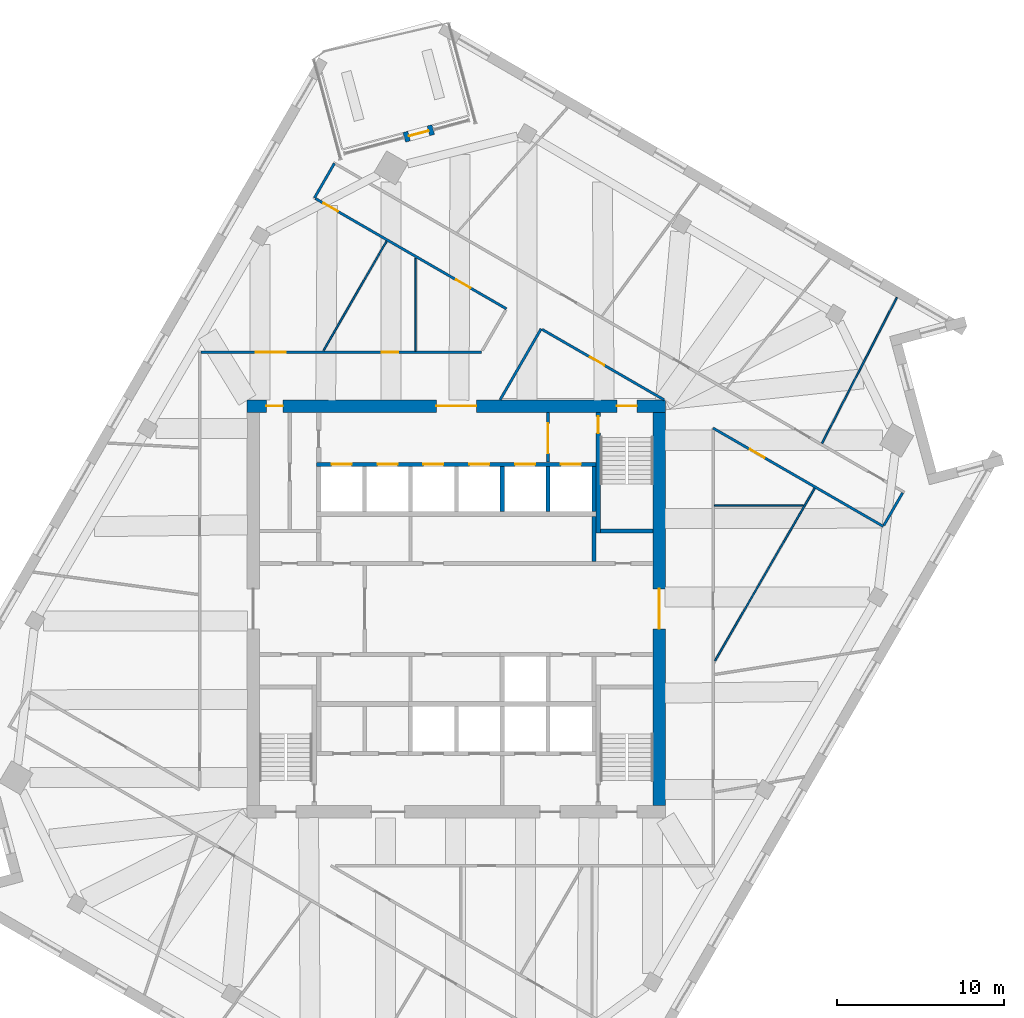
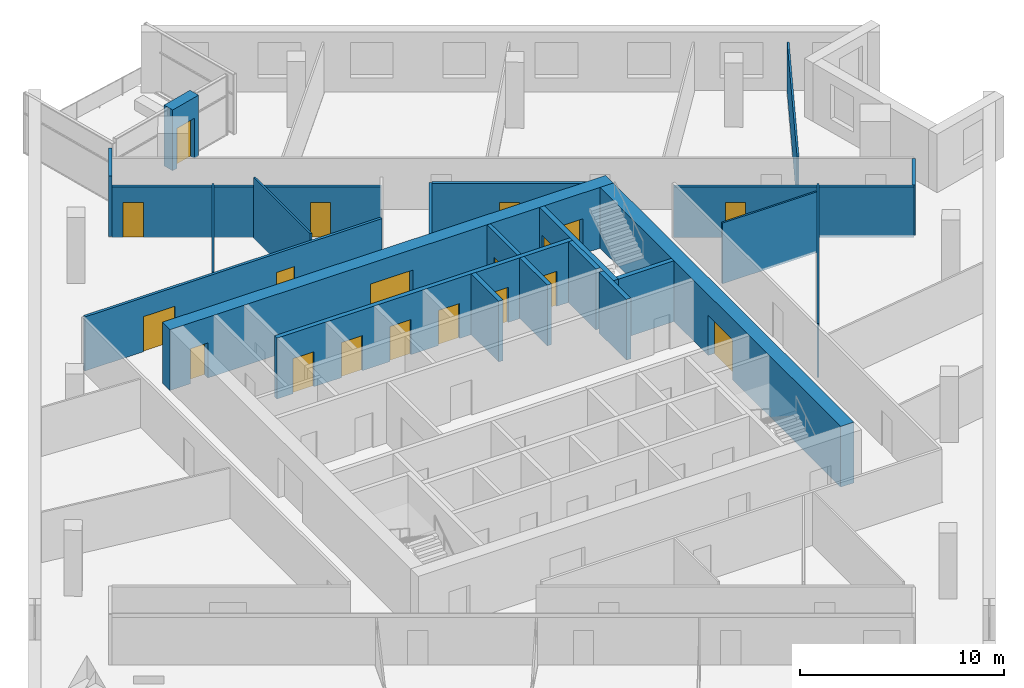
# One storey, part 10 of 13: 23 walls, 19 doors, 19 openings.
"""IFC4 building model written with IfcOpenShell, lengths in metres."""

from ifc_helpers import new_model, si_unit, direction, frame, frame_2d, origin, place, context, subcontext, project, spatial, rectangle, extrude, material, layer, layer_set, type_object, element, fill, save


model = new_model("IFC4")

# Units and contexts
model_context = context("Model", 3, precision=1e-05, world=origin(), true_north=direction((0.0, 1.0)))
body_context = subcontext(model_context, "Body", "Model", "MODEL_VIEW")
ifc_project = project(units=[si_unit("LENGTHUNIT", "METRE"), si_unit("AREAUNIT", "SQUARE_METRE"), si_unit("VOLUMEUNIT", "CUBIC_METRE"), si_unit("PLANEANGLEUNIT", "RADIAN"), si_unit("MASSUNIT", "GRAM", prefix="KILO")], contexts=[model_context])

# Site, building, storey
site_placement = place(None, origin())
site = spatial("IfcSite", under=ifc_project, at=site_placement, CompositionType="ELEMENT")
building_placement = place(site_placement, origin())
building = spatial("IfcBuilding", under=site, at=building_placement, Name="Dilmun Exchange Tower", CompositionType="ELEMENT")
storey_placement = place(building_placement, frame((0.0, 0.0, 270.89990234375)))
storey = spatial("IfcBuildingStorey", under=building, at=storey_placement, Name="L64", CompositionType="ELEMENT", Elevation=270.89990234375)

# Wall, opening, door
ifc_material_1 = material(Name="Concrete C40/50", Category="concrete")
ifc_layer_1 = layer(ifc_material_1, 0.199951171875)
ifc_layer_set_1 = layer_set([ifc_layer_1], Name="Concrete C40/50")
wall_type_1 = type_object("IfcWallType", Name="Core partition wall 200", PredefinedType="PARTITIONING", material=ifc_layer_set_1)
wall_1_placement = place(storey_placement, frame((5.5, 8.804931640625, 0.0), z_axis=(0.0, 0.0, 1.0), x_axis=(0.0, 1.0, 0.0)))
wall_1 = element("IfcWall", 1, at=wall_1_placement, inside=storey, type_object=wall_type_1, Name="L64 core partition wall 20", PredefinedType="PARTITIONING", context=body_context, shape_type="SweptSolid", body=[
    extrude(rectangle(XDim=2.989990234375, YDim=0.199951171875, at=frame_2d((1.4951171875, 0.0))), origin(), (0.0, 0.0, 1.0), 3.64013671875),
])
opening_1_placement = place(wall_1_placement, frame((0.532470703125, 0.0, 0.0)))
opening_1 = element("IfcOpeningElement", 2, at=opening_1_placement, cuts=wall_1, Name="Opening CD5", PredefinedType="OPENING", context=body_context, shape_type="SweptSolid", body=[
    extrude(rectangle(XDim=1.800048828125, YDim=2.10009765625, at=frame_2d((0.89990234375, 1.050048828125))), frame((0.0, 0.10986328125, 0.0), z_axis=(0.0, -1.0, 0.0), x_axis=(1.0, 0.0, 0.0)), (0.0, 0.0, 1.0), 0.219970703125),
])
ifc_material_2 = material(Name="Fire-rated steel door set", Category="steel")
door_type_1 = type_object("IfcDoorType", Name="Stair exit door 1800x2100", OperationType="SINGLE_SWING_LEFT", PredefinedType="DOOR", material=ifc_material_2)
door_1_placement = place(opening_1_placement, origin())
door_1 = element("IfcDoor", 3, at=door_1_placement, inside=storey, type_object=door_type_1, Name="L64 door Lift lobby east", OperationType="SINGLE_SWING_LEFT", OverallHeight=2.10009765625, OverallWidth=1.800048828125, PredefinedType="DOOR", context=body_context, shape_type="SweptSolid", body=[
    extrude(rectangle(XDim=1.800048828125, YDim=2.10009765625, at=frame_2d((0.89990234375, 1.050048828125))), frame((0.0, 0.02490234375, 0.0), z_axis=(0.0, -1.0, 0.0), x_axis=(1.0, 0.0, 0.0)), (0.0, 0.0, 1.0), 0.050048828125),
])
fill(opening_1, door_1)

# Wall
ifc_layer_2 = layer(ifc_material_1, 0.25)
ifc_layer_set_2 = layer_set([ifc_layer_2], Name="Concrete C40/50")
wall_type_2 = type_object("IfcWallType", Name="Core partition wall 250", PredefinedType="PARTITIONING", material=ifc_layer_set_2)
wall_2_placement = place(storey_placement, frame((8.25, 2.85498046875, 0.0), z_axis=(0.0, 0.0, 1.0), x_axis=(0.0, 1.0, 0.0)))
element("IfcWall", 4, at=wall_2_placement, inside=storey, type_object=wall_type_2, Name="L64 core partition wall 15", PredefinedType="PARTITIONING", context=body_context, shape_type="SweptSolid", body=[
    extrude(rectangle(XDim=2.68994140625, YDim=0.25, at=frame_2d((1.344970703125, 0.0))), origin(), (0.0, 0.0, 1.0), 3.64013671875),
])

# Wall, openings, doors
ifc_material_3 = material(Name="Concrete C50/60", Category="concrete")
ifc_layer_3 = layer(ifc_material_3, 0.75)
ifc_layer_set_3 = layer_set([ifc_layer_3], Name="Concrete C50/60")
wall_type_3 = type_object("IfcWallType", Name="Core shear wall 750 Concrete C50/60", PredefinedType="SHEAR", material=ifc_layer_set_3)
wall_3_placement = place(storey_placement, frame((-12.550048828125, 12.175048828125, 0.0), z_axis=(0.0, 0.0, 1.0), x_axis=(1.0, 0.0, 0.0)))
wall_3 = element("IfcWall", 5, at=wall_3_placement, inside=storey, type_object=wall_type_3, Name="L64 core shear wall N", PredefinedType="SHEAR", context=body_context, shape_type="SweptSolid", body=[
    extrude(rectangle(XDim=25.10009765625, YDim=0.75, at=frame_2d((12.550048828125, 0.0))), origin(), (0.0, 0.0, 1.0), 3.64013671875),
])
opening_2_placement = place(wall_3_placement, frame((11.35009765625, 0.0, 0.0)))
opening_2 = element("IfcOpeningElement", 6, at=opening_2_placement, cuts=wall_3, Name="Opening CD1", PredefinedType="OPENING", context=body_context, shape_type="SweptSolid", body=[
    extrude(rectangle(XDim=2.39990234375, YDim=2.39990234375, at=frame_2d((1.199951171875, 1.199951171875))), frame((0.0, 0.385009765625, 0.0), z_axis=(0.0, -1.0, 0.0), x_axis=(1.0, 0.0, 0.0)), (0.0, 0.0, 1.0), 0.77001953125),
])
opening_3_placement = place(wall_3_placement, frame((22.175048828125, 0.0, 0.0)))
opening_3 = element("IfcOpeningElement", 7, at=opening_3_placement, cuts=wall_3, Name="Opening CD3", PredefinedType="OPENING", context=body_context, shape_type="SweptSolid", body=[
    extrude(rectangle(XDim=1.199951171875, YDim=2.10009765625, at=frame_2d((0.60009765625, 1.050048828125))), frame((0.0, 0.385009765625, 0.0), z_axis=(0.0, -1.0, 0.0), x_axis=(1.0, 0.0, 0.0)), (0.0, 0.0, 1.0), 0.77001953125),
])
opening_4_placement = place(wall_3_placement, frame((1.14990234375, 0.0, 0.0)))
opening_4 = element("IfcOpeningElement", 8, at=opening_4_placement, cuts=wall_3, Name="Opening CD4", PredefinedType="OPENING", context=body_context, shape_type="SweptSolid", body=[
    extrude(rectangle(XDim=1.0, YDim=2.10009765625, at=frame_2d((0.5, 1.050048828125))), frame((0.0, 0.385009765625, 0.0), z_axis=(0.0, -1.0, 0.0), x_axis=(1.0, 0.0, 0.0)), (0.0, 0.0, 1.0), 0.77001953125),
])
door_type_2 = type_object("IfcDoorType", Name="Core lobby door 2400x2400", OperationType="DOUBLE_DOOR_DOUBLE_SWING", PredefinedType="DOOR", material=ifc_material_2)
door_2_placement = place(opening_2_placement, origin())
door_2 = element("IfcDoor", 9, at=door_2_placement, inside=storey, type_object=door_type_2, Name="L64 door North lift lobby", OperationType="SINGLE_SWING_LEFT", OverallHeight=2.39990234375, OverallWidth=2.39990234375, PredefinedType="DOOR", context=body_context, shape_type="SweptSolid", body=[
    extrude(rectangle(XDim=2.39990234375, YDim=2.39990234375, at=frame_2d((1.199951171875, 1.199951171875))), frame((0.0, 0.02490234375, 0.0), z_axis=(0.0, -1.0, 0.0), x_axis=(1.0, 0.0, 0.0)), (0.0, 0.0, 1.0), 0.050048828125),
])
fill(opening_2, door_2)
door_type_3 = type_object("IfcDoorType", Name="Core room door 1000x2100", OperationType="SINGLE_SWING_LEFT", PredefinedType="DOOR", material=ifc_material_2)
door_3_placement = place(opening_4_placement, origin())
door_3 = element("IfcDoor", 10, at=door_3_placement, inside=storey, type_object=door_type_3, Name="L64 door North-west core rooms", OperationType="SINGLE_SWING_LEFT", OverallHeight=2.10009765625, OverallWidth=1.0, PredefinedType="DOOR", context=body_context, shape_type="SweptSolid", body=[
    extrude(rectangle(XDim=1.0, YDim=2.10009765625, at=frame_2d((0.5, 1.050048828125))), frame((0.0, 0.02490234375, 0.0), z_axis=(0.0, -1.0, 0.0), x_axis=(1.0, 0.0, 0.0)), (0.0, 0.0, 1.0), 0.050048828125),
])
fill(opening_4, door_3)
door_type_4 = type_object("IfcDoorType", Name="Stair exit door 1200x2100", OperationType="SINGLE_SWING_LEFT", PredefinedType="DOOR", material=ifc_material_2)
door_4_placement = place(opening_3_placement, origin())
door_4 = element("IfcDoor", 11, at=door_4_placement, inside=storey, type_object=door_type_4, Name="L64 door Stair ST1", OperationType="SINGLE_SWING_LEFT", OverallHeight=2.10009765625, OverallWidth=1.199951171875, PredefinedType="DOOR", context=body_context, shape_type="SweptSolid", body=[
    extrude(rectangle(XDim=1.199951171875, YDim=2.10009765625, at=frame_2d((0.60009765625, 1.050048828125))), frame((0.0, 0.02490234375, 0.0), z_axis=(0.0, -1.0, 0.0), x_axis=(1.0, 0.0, 0.0)), (0.0, 0.0, 1.0), 0.050048828125),
])
fill(opening_3, door_4)

# Wall, opening, door
wall_4_placement = place(storey_placement, frame((12.175048828125, -11.800048828125, 0.0), z_axis=(0.0, 0.0, 1.0), x_axis=(0.0, 1.0, 0.0)))
wall_4 = element("IfcWall", 12, at=wall_4_placement, inside=storey, type_object=wall_type_3, Name="L64 core shear wall E", PredefinedType="SHEAR", context=body_context, shape_type="SweptSolid", body=[
    extrude(rectangle(XDim=23.60009765625, YDim=0.75, at=frame_2d((11.800048828125, 0.0))), origin(), (0.0, 0.0, 1.0), 3.64013671875),
])
opening_5_placement = place(wall_4_placement, frame((10.60009765625, 0.0, 0.0)))
opening_5 = element("IfcOpeningElement", 13, at=opening_5_placement, cuts=wall_4, Name="Opening CD1", PredefinedType="OPENING", context=body_context, shape_type="SweptSolid", body=[
    extrude(rectangle(XDim=2.39990234375, YDim=2.39990234375, at=frame_2d((1.199951171875, 1.199951171875))), frame((0.0, 0.385009765625, 0.0), z_axis=(0.0, -1.0, 0.0), x_axis=(1.0, 0.0, 0.0)), (0.0, 0.0, 1.0), 0.77001953125),
])
door_5_placement = place(opening_5_placement, origin())
door_5 = element("IfcDoor", 14, at=door_5_placement, inside=storey, type_object=door_type_2, Name="L64 door Central lift lobby", OperationType="SINGLE_SWING_LEFT", OverallHeight=2.39990234375, OverallWidth=2.39990234375, PredefinedType="DOOR", context=body_context, shape_type="SweptSolid", body=[
    extrude(rectangle(XDim=2.39990234375, YDim=2.39990234375, at=frame_2d((1.199951171875, 1.199951171875))), frame((0.0, 0.02490234375, 0.0), z_axis=(0.0, -1.0, 0.0), x_axis=(1.0, 0.0, 0.0)), (0.0, 0.0, 1.0), 0.050048828125),
])
fill(opening_5, door_5)

# Wall, openings, doors
ifc_material_4 = material(Name="Corridor wall 150")
ifc_layer_4 = layer(ifc_material_4, 0.14990234375)
ifc_layer_set_4 = layer_set([ifc_layer_4], Name="Corridor wall 150")
wall_type_4 = type_object("IfcWallType", Name="Corridor wall 150", PredefinedType="PARTITIONING", material=ifc_layer_set_4)
wall_5_placement = place(storey_placement, frame((-15.324951171875, 15.39990234375, 0.0), z_axis=(0.0, 0.0, 1.0), x_axis=(1.0, 0.0, 0.0)))
wall_5 = element("IfcWall", 15, at=wall_5_placement, inside=storey, type_object=wall_type_4, Name="Corridor wall", PredefinedType="PARTITIONING", context=body_context, shape_type="SweptSolid", body=[
    extrude(rectangle(XDim=16.825927734375, YDim=0.14990234375, at=frame_2d((8.4130859375, 0.0))), origin(), (0.0, 0.0, 1.0), 3.239990234375),
])
opening_6_placement = place(wall_5_placement, frame((3.300048828125, 0.0, 0.0)))
opening_6 = element("IfcOpeningElement", 16, at=opening_6_placement, cuts=wall_5, Name="Opening TF62-D06", PredefinedType="OPENING", context=body_context, shape_type="SweptSolid", body=[
    extrude(rectangle(XDim=1.800048828125, YDim=2.10009765625, at=frame_2d((0.89990234375, 1.050048828125))), frame((0.0, 0.0849609375, 0.0), z_axis=(0.0, -1.0, 0.0), x_axis=(1.0, 0.0, 0.0)), (0.0, 0.0, 1.0), 0.169921875),
])
opening_7_placement = place(wall_5_placement, frame((10.84619140625, 0.0, 0.0)))
opening_7 = element("IfcOpeningElement", 17, at=opening_7_placement, cuts=wall_5, Name="Opening TF62-D08", PredefinedType="OPENING", context=body_context, shape_type="SweptSolid", body=[
    extrude(rectangle(XDim=1.0, YDim=2.10009765625, at=frame_2d((0.5, 1.050048828125))), frame((0.0, 0.0849609375, 0.0), z_axis=(0.0, -1.0, 0.0), x_axis=(1.0, 0.0, 0.0)), (0.0, 0.0, 1.0), 0.169921875),
])
ifc_material_5 = material(Name="Fire door 1000 x 2100")
door_type_5 = type_object("IfcDoorType", Name="Fire door 1000 x 2100", OperationType="NOTDEFINED", PredefinedType="DOOR", material=ifc_material_5)
door_6_placement = place(opening_7_placement, origin())
door_6 = element("IfcDoor", 18, at=door_6_placement, inside=storey, type_object=door_type_5, Name="Door TF62-D08", OperationType="SINGLE_SWING_RIGHT", OverallHeight=2.10009765625, OverallWidth=1.0, PredefinedType="DOOR", context=body_context, shape_type="SweptSolid", body=[
    extrude(rectangle(XDim=1.0, YDim=2.10009765625, at=frame_2d((0.5, 1.050048828125))), frame((0.0, 0.02490234375, 0.0), z_axis=(0.0, -1.0, 0.0), x_axis=(1.0, 0.0, 0.0)), (0.0, 0.0, 1.0), 0.050048828125),
])
fill(opening_7, door_6)
ifc_material_6 = material(Name="Fire door pair 1800 x 2100")
door_type_6 = type_object("IfcDoorType", Name="Fire door pair 1800 x 2100", OperationType="NOTDEFINED", PredefinedType="DOOR", material=ifc_material_6)
door_7_placement = place(opening_6_placement, origin())
door_7 = element("IfcDoor", 19, at=door_7_placement, inside=storey, type_object=door_type_6, Name="Door TF62-D06", OperationType="DOUBLE_DOOR_SINGLE_SWING", OverallHeight=2.10009765625, OverallWidth=1.800048828125, PredefinedType="DOOR", context=body_context, shape_type="SweptSolid", body=[
    extrude(rectangle(XDim=1.800048828125, YDim=2.10009765625, at=frame_2d((0.89990234375, 1.050048828125))), frame((0.0, 0.02490234375, 0.0), z_axis=(0.0, -1.0, 0.0), x_axis=(1.0, 0.0, 0.0)), (0.0, 0.0, 1.0), 0.050048828125),
])
fill(opening_6, door_7)

# Wall
wall_6_placement = place(storey_placement, frame((-8.511962890625, 24.656005859375, 0.0), z_axis=(0.0, 0.0, 1.0), x_axis=(0.499869187296, 0.866100915363, 0.0)))
element("IfcWall", 20, at=wall_6_placement, inside=storey, type_object=wall_type_4, Name="Corridor wall", PredefinedType="PARTITIONING", context=body_context, shape_type="SweptSolid", body=[
    extrude(rectangle(XDim=2.400634765625, YDim=0.14990234375, at=frame_2d((1.2001953125, 0.0))), origin(), (0.0, 0.0, 1.0), 3.64013671875),
])

# Wall, openings, doors
wall_7_placement = place(storey_placement, frame((-8.447021484375, 24.618408203125, 0.0), z_axis=(0.0, 0.0, 1.0), x_axis=(0.866030646256, -0.499990919662, 0.0)))
wall_7 = element("IfcWall", 21, at=wall_7_placement, inside=storey, type_object=wall_type_4, Name="Corridor wall", PredefinedType="PARTITIONING", context=body_context, shape_type="SweptSolid", body=[
    extrude(rectangle(XDim=13.224853515625, YDim=0.14990234375, at=frame_2d((6.6123046875, 0.0))), origin(), (0.0, 0.0, 1.0), 3.0400390625),
])
opening_8_placement = place(wall_7_placement, frame((0.550048828125, 0.0, 0.0)))
opening_8 = element("IfcOpeningElement", 22, at=opening_8_placement, cuts=wall_7, Name="Opening TF62-D07", PredefinedType="OPENING", context=body_context, shape_type="SweptSolid", body=[
    extrude(rectangle(XDim=1.0, YDim=2.10009765625, at=frame_2d((0.5, 1.050048828125))), frame((0.0, 0.0849609375, 0.0), z_axis=(0.0, -1.0, 0.0), x_axis=(1.0, 0.0, 0.0)), (0.0, 0.0, 1.0), 0.169921875),
])
opening_9_placement = place(wall_7_placement, frame((9.734619140625, 0.0, 0.0)))
opening_9 = element("IfcOpeningElement", 23, at=opening_9_placement, cuts=wall_7, Name="Opening TF62-D10", PredefinedType="OPENING", context=body_context, shape_type="SweptSolid", body=[
    extrude(rectangle(XDim=1.0, YDim=2.10009765625, at=frame_2d((0.5, 1.050048828125))), frame((0.0, 0.0849609375, 0.0), z_axis=(0.0, -1.0, 0.0), x_axis=(1.0, 0.0, 0.0)), (0.0, 0.0, 1.0), 0.169921875),
])
door_8_placement = place(opening_8_placement, frame((1.0, 0.0, 0.0), z_axis=(0.0, 0.0, 1.0), x_axis=(-1.0, 0.0, 0.0)))
door_8 = element("IfcDoor", 24, at=door_8_placement, inside=storey, type_object=door_type_5, Name="Door TF62-D07", OperationType="SINGLE_SWING_LEFT", OverallHeight=2.10009765625, OverallWidth=1.0, PredefinedType="DOOR", context=body_context, shape_type="SweptSolid", body=[
    extrude(rectangle(XDim=1.0, YDim=2.10009765625, at=frame_2d((0.5, 1.050048828125))), frame((0.0, 0.02490234375, 0.0), z_axis=(0.0, -1.0, 0.0), x_axis=(1.0, 0.0, 0.0)), (0.0, 0.0, 1.0), 0.050048828125),
])
fill(opening_8, door_8)
door_9_placement = place(opening_9_placement, frame((1.0, 0.0, 0.0), z_axis=(0.0, 0.0, 1.0), x_axis=(-1.0, 0.0, 0.0)))
door_9 = element("IfcDoor", 25, at=door_9_placement, inside=storey, type_object=door_type_5, Name="Door TF62-D10", OperationType="SINGLE_SWING_LEFT", OverallHeight=2.10009765625, OverallWidth=1.0, PredefinedType="DOOR", context=body_context, shape_type="SweptSolid", body=[
    extrude(rectangle(XDim=1.0, YDim=2.10009765625, at=frame_2d((0.5, 1.050048828125))), frame((0.0, 0.02490234375, 0.0), z_axis=(0.0, -1.0, 0.0), x_axis=(1.0, 0.0, 0.0)), (0.0, 0.0, 1.0), 0.050048828125),
])
fill(opening_9, door_9)

# Wall
wall_8_placement = place(storey_placement, frame((2.626953125, 12.550048828125, 0.0), z_axis=(0.0, 0.0, 1.0), x_axis=(0.50013524008, 0.865947308807, 0.0)))
element("IfcWall", 26, at=wall_8_placement, inside=storey, type_object=wall_type_4, Name="Corridor wall", PredefinedType="PARTITIONING", context=body_context, shape_type="SweptSolid", body=[
    extrude(rectangle(XDim=4.914794921875, YDim=0.14990234375, at=frame_2d((2.45751953125, 0.0))), origin(), (0.0, 0.0, 1.0), 3.239990234375),
])

# Wall, opening, door
wall_9_placement = place(storey_placement, frame((5.14990234375, 16.7685546875, 0.0), z_axis=(0.0, 0.0, 1.0), x_axis=(0.866010168016, -0.500026388196, 0.0)))
wall_9 = element("IfcWall", 27, at=wall_9_placement, inside=storey, type_object=wall_type_4, Name="Corridor wall", PredefinedType="PARTITIONING", context=body_context, shape_type="SweptSolid", body=[
    extrude(rectangle(XDim=8.4365234375, YDim=0.14990234375, at=frame_2d((4.21826171875, 0.0))), origin(), (0.0, 0.0, 1.0), 3.239990234375),
])
opening_10_placement = place(wall_9_placement, frame((3.300048828125, 0.0, 0.0)))
opening_10 = element("IfcOpeningElement", 28, at=opening_10_placement, cuts=wall_9, Name="Opening TF62-D13", PredefinedType="OPENING", context=body_context, shape_type="SweptSolid", body=[
    extrude(rectangle(XDim=1.0, YDim=2.10009765625, at=frame_2d((0.5, 1.050048828125))), frame((0.0, 0.0849609375, 0.0), z_axis=(0.0, -1.0, 0.0), x_axis=(1.0, 0.0, 0.0)), (0.0, 0.0, 1.0), 0.169921875),
])
door_10_placement = place(opening_10_placement, frame((1.0, 0.0, 0.0), z_axis=(0.0, 0.0, 1.0), x_axis=(-1.0, 0.0, 0.0)))
door_10 = element("IfcDoor", 29, at=door_10_placement, inside=storey, type_object=door_type_5, Name="Door TF62-D13", OperationType="SINGLE_SWING_RIGHT", OverallHeight=2.10009765625, OverallWidth=1.0, PredefinedType="DOOR", context=body_context, shape_type="SweptSolid", body=[
    extrude(rectangle(XDim=1.0, YDim=2.10009765625, at=frame_2d((0.5, 1.050048828125))), frame((0.0, 0.02490234375, 0.0), z_axis=(0.0, -1.0, 0.0), x_axis=(1.0, 0.0, 0.0)), (0.0, 0.0, 1.0), 0.050048828125),
])
fill(opening_10, door_10)

wall_10_placement = place(storey_placement, frame((15.39990234375, 10.85107421875, 0.0), z_axis=(0.0, 0.0, 1.0), x_axis=(0.865993826089, -0.500054690184, 0.0)))
wall_10 = element("IfcWall", 30, at=wall_10_placement, inside=storey, type_object=wall_type_4, Name="Corridor wall", PredefinedType="PARTITIONING", context=body_context, shape_type="SweptSolid", body=[
    extrude(rectangle(XDim=11.788818359375, YDim=0.14990234375, at=frame_2d((5.89453125, 0.0))), origin(), (0.0, 0.0, 1.0), 3.0400390625),
])
opening_11_placement = place(wall_10_placement, frame((2.55029296875, 0.0, 0.0)))
opening_11 = element("IfcOpeningElement", 31, at=opening_11_placement, cuts=wall_10, Name="Opening TF62-D19", PredefinedType="OPENING", context=body_context, shape_type="SweptSolid", body=[
    extrude(rectangle(XDim=1.0, YDim=2.10009765625, at=frame_2d((0.5, 1.050048828125))), frame((0.0, 0.0849609375, 0.0), z_axis=(0.0, -1.0, 0.0), x_axis=(1.0, 0.0, 0.0)), (0.0, 0.0, 1.0), 0.169921875),
])
door_11_placement = place(opening_11_placement, frame((1.0, 0.0, 0.0), z_axis=(0.0, 0.0, 1.0), x_axis=(-1.0, 0.0, 0.0)))
door_11 = element("IfcDoor", 32, at=door_11_placement, inside=storey, type_object=door_type_5, Name="Door TF62-D19", OperationType="SINGLE_SWING_LEFT", OverallHeight=2.10009765625, OverallWidth=1.0, PredefinedType="DOOR", context=body_context, shape_type="SweptSolid", body=[
    extrude(rectangle(XDim=1.0, YDim=2.10009765625, at=frame_2d((0.5, 1.050048828125))), frame((0.0, 0.02490234375, 0.0), z_axis=(0.0, -1.0, 0.0), x_axis=(1.0, 0.0, 0.0)), (0.0, 0.0, 1.0), 0.050048828125),
])
fill(opening_11, door_11)

# Wall
wall_11_placement = place(storey_placement, frame((25.646484375, 5.02099609375, 0.0), z_axis=(0.0, 0.0, 1.0), x_axis=(0.499919672301, 0.866071776036, 0.0)))
element("IfcWall", 33, at=wall_11_placement, inside=storey, type_object=wall_type_4, Name="Corridor wall", PredefinedType="PARTITIONING", context=body_context, shape_type="SweptSolid", body=[
    extrude(rectangle(XDim=2.250244140625, YDim=0.14990234375, at=frame_2d((1.125, 0.0))), origin(), (0.0, 0.0, 1.0), 3.0400390625),
])

# Wall, openings, doors
ifc_layer_5 = layer(ifc_material_1, 0.25)
ifc_layer_set_5 = layer_set([ifc_layer_5], Name="Concrete C40/50")
wall_type_5 = type_object("IfcWallType", Name="Lift shaft wall 250", PredefinedType="SOLIDWALL", material=ifc_layer_set_5)
wall_12_placement = place(storey_placement, frame((-8.375, 8.675048828125, 0.0), z_axis=(0.0, 0.0, 1.0), x_axis=(1.0, 0.0, 0.0)))
wall_12 = element("IfcWall", 34, at=wall_12_placement, inside=storey, type_object=wall_type_5, Name="L64 lift shaft front wall N2", PredefinedType="SOLIDWALL", context=body_context, shape_type="SweptSolid", body=[
    extrude(rectangle(XDim=16.75, YDim=0.25, at=frame_2d((8.375, 0.0))), origin(), (0.0, 0.0, 1.0), 3.64013671875),
])
opening_12_placement = place(wall_12_placement, frame((0.89990234375, 0.0, 0.0)))
opening_12 = element("IfcOpeningElement", 35, at=opening_12_placement, cuts=wall_12, Name="Opening LD", PredefinedType="OPENING", context=body_context, shape_type="SweptSolid", body=[
    extrude(rectangle(XDim=1.199951171875, YDim=2.10009765625, at=frame_2d((0.60009765625, 1.050048828125))), frame((0.0, 0.135009765625, 0.0), z_axis=(0.0, -1.0, 0.0), x_axis=(1.0, 0.0, 0.0)), (0.0, 0.0, 1.0), 0.27001953125),
])
opening_13_placement = place(wall_12_placement, frame((3.64990234375, 0.0, 0.0)))
opening_13 = element("IfcOpeningElement", 36, at=opening_13_placement, cuts=wall_12, Name="Opening LD", PredefinedType="OPENING", context=body_context, shape_type="SweptSolid", body=[
    extrude(rectangle(XDim=1.199951171875, YDim=2.10009765625, at=frame_2d((0.60009765625, 1.050048828125))), frame((0.0, 0.135009765625, 0.0), z_axis=(0.0, -1.0, 0.0), x_axis=(1.0, 0.0, 0.0)), (0.0, 0.0, 1.0), 0.27001953125),
])
opening_14_placement = place(wall_12_placement, frame((6.39990234375, 0.0, 0.0)))
opening_14 = element("IfcOpeningElement", 37, at=opening_14_placement, cuts=wall_12, Name="Opening LD", PredefinedType="OPENING", context=body_context, shape_type="SweptSolid", body=[
    extrude(rectangle(XDim=1.199951171875, YDim=2.10009765625, at=frame_2d((0.60009765625, 1.050048828125))), frame((0.0, 0.135009765625, 0.0), z_axis=(0.0, -1.0, 0.0), x_axis=(1.0, 0.0, 0.0)), (0.0, 0.0, 1.0), 0.27001953125),
])
opening_15_placement = place(wall_12_placement, frame((9.14990234375, 0.0, 0.0)))
opening_15 = element("IfcOpeningElement", 38, at=opening_15_placement, cuts=wall_12, Name="Opening LD", PredefinedType="OPENING", context=body_context, shape_type="SweptSolid", body=[
    extrude(rectangle(XDim=1.199951171875, YDim=2.10009765625, at=frame_2d((0.60009765625, 1.050048828125))), frame((0.0, 0.135009765625, 0.0), z_axis=(0.0, -1.0, 0.0), x_axis=(1.0, 0.0, 0.0)), (0.0, 0.0, 1.0), 0.27001953125),
])
opening_16_placement = place(wall_12_placement, frame((11.89990234375, 0.0, 0.0)))
opening_16 = element("IfcOpeningElement", 39, at=opening_16_placement, cuts=wall_12, Name="Opening LD", PredefinedType="OPENING", context=body_context, shape_type="SweptSolid", body=[
    extrude(rectangle(XDim=1.199951171875, YDim=2.10009765625, at=frame_2d((0.60009765625, 1.050048828125))), frame((0.0, 0.135009765625, 0.0), z_axis=(0.0, -1.0, 0.0), x_axis=(1.0, 0.0, 0.0)), (0.0, 0.0, 1.0), 0.27001953125),
])
opening_17_placement = place(wall_12_placement, frame((14.64990234375, 0.0, 0.0)))
opening_17 = element("IfcOpeningElement", 40, at=opening_17_placement, cuts=wall_12, Name="Opening LD", PredefinedType="OPENING", context=body_context, shape_type="SweptSolid", body=[
    extrude(rectangle(XDim=1.199951171875, YDim=2.10009765625, at=frame_2d((0.60009765625, 1.050048828125))), frame((0.0, 0.135009765625, 0.0), z_axis=(0.0, -1.0, 0.0), x_axis=(1.0, 0.0, 0.0)), (0.0, 0.0, 1.0), 0.27001953125),
])
door_type_7 = type_object("IfcDoorType", Name="Lift landing door 1200x2100", OperationType="DOUBLE_DOOR_SLIDING", PredefinedType="DOOR", material=ifc_material_2)
door_12_placement = place(opening_12_placement, origin())
door_12 = element("IfcDoor", 41, at=door_12_placement, inside=storey, type_object=door_type_7, Name="L64 landing door HR1", OperationType="DOUBLE_DOOR_SLIDING", OverallHeight=2.10009765625, OverallWidth=1.199951171875, PredefinedType="DOOR", context=body_context, shape_type="SweptSolid", body=[
    extrude(rectangle(XDim=1.199951171875, YDim=2.10009765625, at=frame_2d((0.60009765625, 1.050048828125))), frame((0.0, 0.02490234375, 0.0), z_axis=(0.0, -1.0, 0.0), x_axis=(1.0, 0.0, 0.0)), (0.0, 0.0, 1.0), 0.050048828125),
])
fill(opening_12, door_12)
door_13_placement = place(opening_13_placement, origin())
door_13 = element("IfcDoor", 42, at=door_13_placement, inside=storey, type_object=door_type_7, Name="L64 landing door HR2", OperationType="DOUBLE_DOOR_SLIDING", OverallHeight=2.10009765625, OverallWidth=1.199951171875, PredefinedType="DOOR", context=body_context, shape_type="SweptSolid", body=[
    extrude(rectangle(XDim=1.199951171875, YDim=2.10009765625, at=frame_2d((0.60009765625, 1.050048828125))), frame((0.0, 0.02490234375, 0.0), z_axis=(0.0, -1.0, 0.0), x_axis=(1.0, 0.0, 0.0)), (0.0, 0.0, 1.0), 0.050048828125),
])
fill(opening_13, door_13)
door_14_placement = place(opening_14_placement, origin())
door_14 = element("IfcDoor", 43, at=door_14_placement, inside=storey, type_object=door_type_7, Name="L64 landing door HR3", OperationType="DOUBLE_DOOR_SLIDING", OverallHeight=2.10009765625, OverallWidth=1.199951171875, PredefinedType="DOOR", context=body_context, shape_type="SweptSolid", body=[
    extrude(rectangle(XDim=1.199951171875, YDim=2.10009765625, at=frame_2d((0.60009765625, 1.050048828125))), frame((0.0, 0.02490234375, 0.0), z_axis=(0.0, -1.0, 0.0), x_axis=(1.0, 0.0, 0.0)), (0.0, 0.0, 1.0), 0.050048828125),
])
fill(opening_14, door_14)
door_15_placement = place(opening_15_placement, origin())
door_15 = element("IfcDoor", 44, at=door_15_placement, inside=storey, type_object=door_type_7, Name="L64 landing door HR4", OperationType="DOUBLE_DOOR_SLIDING", OverallHeight=2.10009765625, OverallWidth=1.199951171875, PredefinedType="DOOR", context=body_context, shape_type="SweptSolid", body=[
    extrude(rectangle(XDim=1.199951171875, YDim=2.10009765625, at=frame_2d((0.60009765625, 1.050048828125))), frame((0.0, 0.02490234375, 0.0), z_axis=(0.0, -1.0, 0.0), x_axis=(1.0, 0.0, 0.0)), (0.0, 0.0, 1.0), 0.050048828125),
])
fill(opening_15, door_15)
door_16_placement = place(opening_16_placement, origin())
door_16 = element("IfcDoor", 45, at=door_16_placement, inside=storey, type_object=door_type_7, Name="L64 landing door HR5", OperationType="DOUBLE_DOOR_SLIDING", OverallHeight=2.10009765625, OverallWidth=1.199951171875, PredefinedType="DOOR", context=body_context, shape_type="SweptSolid", body=[
    extrude(rectangle(XDim=1.199951171875, YDim=2.10009765625, at=frame_2d((0.60009765625, 1.050048828125))), frame((0.0, 0.02490234375, 0.0), z_axis=(0.0, -1.0, 0.0), x_axis=(1.0, 0.0, 0.0)), (0.0, 0.0, 1.0), 0.050048828125),
])
fill(opening_16, door_16)
door_17_placement = place(opening_17_placement, origin())
door_17 = element("IfcDoor", 46, at=door_17_placement, inside=storey, type_object=door_type_7, Name="L64 landing door HR6", OperationType="DOUBLE_DOOR_SLIDING", OverallHeight=2.10009765625, OverallWidth=1.199951171875, PredefinedType="DOOR", context=body_context, shape_type="SweptSolid", body=[
    extrude(rectangle(XDim=1.199951171875, YDim=2.10009765625, at=frame_2d((0.60009765625, 1.050048828125))), frame((0.0, 0.02490234375, 0.0), z_axis=(0.0, -1.0, 0.0), x_axis=(1.0, 0.0, 0.0)), (0.0, 0.0, 1.0), 0.050048828125),
])
fill(opening_17, door_17)

# Walls
for number, where, z_axis, x_axis, name in (
    (47, (2.75, 5.85009765625, 0.0), (0.0, 0.0, 1.0), (0.0, 1.0, 0.0), "L64 lift shaft divider N24"),
    (48, (5.5, 5.85009765625, 0.0), (0.0, 0.0, 1.0), (0.0, 1.0, 0.0), "L64 lift shaft divider N25"),
    (49, (8.25, 5.85009765625, 0.0), (0.0, 0.0, 1.0), (0.0, 1.0, 0.0), "L64 lift shaft divider N26"),
):
    element("IfcWall", number, at=place(storey_placement, frame(where, z_axis=z_axis, x_axis=x_axis)), inside=storey, type_object=wall_type_5, Name=name, PredefinedType="SOLIDWALL", context=body_context, shape_type="SweptSolid", body=[
        extrude(rectangle(XDim=2.699951171875, YDim=0.25, at=frame_2d((1.35009765625, 0.0))), origin(), (0.0, 0.0, 1.0), 3.64013671875),
    ])
ifc_material_7 = material(Name="Partition 100")
ifc_layer_6 = layer(ifc_material_7, 0.10009765625)
ifc_layer_set_6 = layer_set([ifc_layer_6], Name="Partition 100")
wall_type_6 = type_object("IfcWallType", Name="Partition 100", PredefinedType="PARTITIONING", material=ifc_layer_set_6)
wall_13_placement = place(storey_placement, frame((-7.97119140625, 15.5, 0.0), z_axis=(0.0, 0.0, 1.0), x_axis=(0.499964887799, 0.866045674874, 0.0)))
element("IfcWall", 50, at=wall_13_placement, inside=storey, type_object=wall_type_6, Name="Partition", PredefinedType="PARTITIONING", context=body_context, shape_type="SweptSolid", body=[
    extrude(rectangle(XDim=7.583984375, YDim=0.10009765625, at=frame_2d((3.7919921875, 0.0))), origin(), (0.0, 0.0, 1.0), 3.239990234375),
])
wall_14_placement = place(storey_placement, frame((-2.44091796875, 15.47509765625, 0.0), z_axis=(0.0, 0.0, 1.0), x_axis=(0.0, 1.0, 0.0)))
element("IfcWall", 51, at=wall_14_placement, inside=storey, type_object=wall_type_6, Name="Partition", PredefinedType="PARTITIONING", context=body_context, shape_type="SweptSolid", body=[
    extrude(rectangle(XDim=5.560302734375, YDim=0.10009765625, at=frame_2d((2.7802734375, 0.0))), origin(), (0.0, 0.0, 1.0), 3.64013671875),
])
wall_15_placement = place(storey_placement, frame((15.47509765625, 6.199951171875, 0.0), z_axis=(0.0, 0.0, 1.0), x_axis=(1.0, 0.0, 0.0)))
element("IfcWall", 52, at=wall_15_placement, inside=storey, type_object=wall_type_6, Name="Partition", PredefinedType="PARTITIONING", context=body_context, shape_type="SweptSolid", body=[
    extrude(rectangle(XDim=5.330322265625, YDim=0.10009765625, at=frame_2d((2.6650390625, 0.0))), origin(), (0.0, 0.0, 1.0), 3.64013671875),
])
wall_16_placement = place(storey_placement, frame((15.518310546875, -3.108154296875, 0.0), z_axis=(0.0, 0.0, 1.0), x_axis=(0.499989387739, 0.866031530689, 0.0)))
element("IfcWall", 53, at=wall_16_placement, inside=storey, type_object=wall_type_6, Name="Partition", PredefinedType="PARTITIONING", context=body_context, shape_type="SweptSolid", body=[
    extrude(rectangle(XDim=11.954833984375, YDim=0.10009765625, at=frame_2d((5.9775390625, 0.0))), origin(), (0.0, 0.0, 1.0), 3.239990234375),
])
wall_17_placement = place(storey_placement, frame((21.936279296875, 9.93798828125, 0.0), z_axis=(0.0, 0.0, 1.0), x_axis=(0.456562052213, 0.889691571545, 0.0)))
element("IfcWall", 54, at=wall_17_placement, inside=storey, type_object=wall_type_6, Name="Partition", PredefinedType="PARTITIONING", context=body_context, shape_type="SweptSolid", body=[
    extrude(rectangle(XDim=9.83544921875, YDim=0.10009765625, at=frame_2d((4.917724609375, 0.0))), origin(), (0.0, 0.0, 1.0), 3.0400390625),
])

# Wall, opening, door
ifc_material_8 = material(Name="Precast concrete C50/60", Category="concrete")
ifc_layer_7 = layer(ifc_material_8, 0.60009765625)
ifc_layer_set_7 = layer_set([ifc_layer_7], Name="Precast concrete C50/60")
wall_type_7 = type_object("IfcWallType", Name="Precast stone-clad wall 600", PredefinedType="STANDARD", material=ifc_layer_set_7)
wall_18_placement = place(storey_placement, frame((-1.385498046875, 28.75732421875, 0.0), z_axis=(0.0, 0.0, 1.0), x_axis=(-0.965928071154, -0.258810667008, 0.0)))
wall_18 = element("IfcWall", 55, at=wall_18_placement, inside=storey, type_object=wall_type_7, Name="Facade wall L64-01-D", PredefinedType="STANDARD", context=body_context, shape_type="SweptSolid", body=[
    extrude(rectangle(XDim=1.7998046875, YDim=0.60009765625, at=frame_2d((0.89990234375, 0.0))), origin(), (0.0, 0.0, 1.0), 3.64013671875),
])
opening_18_placement = place(wall_18_placement, frame((0.300048828125, 0.0, 0.0)))
opening_18 = element("IfcOpeningElement", 56, at=opening_18_placement, cuts=wall_18, Name="Opening GD-1", PredefinedType="OPENING", context=body_context, shape_type="SweptSolid", body=[
    extrude(rectangle(XDim=1.199951171875, YDim=2.39990234375, at=frame_2d((0.60009765625, 1.199951171875))), frame((0.0, 0.31005859375, 0.0), z_axis=(0.0, -1.0, 0.0), x_axis=(1.0, 0.0, 0.0)), (0.0, 0.0, 1.0), 0.6201171875),
])
ifc_material_9 = material(Name="Clear low-emissivity glass in aluminium frame", Category="aluminium")
door_type_8 = type_object("IfcDoorType", Name="Glazed garden door 1200 x 2400", OperationType="SINGLE_SWING_LEFT", PredefinedType="DOOR", material=ifc_material_9)
door_18_placement = place(opening_18_placement, origin())
door_18 = element("IfcDoor", 57, at=door_18_placement, inside=storey, type_object=door_type_8, Name="Garden terrace door", OperationType="SINGLE_SWING_LEFT", OverallHeight=2.39990234375, OverallWidth=1.199951171875, PredefinedType="DOOR", context=body_context, shape_type="SweptSolid", body=[
    extrude(rectangle(XDim=1.199951171875, YDim=2.39990234375, at=frame_2d((0.60009765625, 1.199951171875))), frame((0.0, 0.02490234375, 0.0), z_axis=(0.0, -1.0, 0.0), x_axis=(1.0, 0.0, 0.0)), (0.0, 0.0, 1.0), 0.050048828125),
])
fill(opening_18, door_18)

# Wall
ifc_layer_8 = layer(ifc_material_1, 0.25)
ifc_layer_set_8 = layer_set([ifc_layer_8], Name="Concrete C40/50")
wall_type_8 = type_object("IfcWallType", Name="Stair end wall 250", PredefinedType="SOLIDWALL", material=ifc_layer_set_8)
wall_19_placement = place(storey_placement, frame((8.64990234375, 4.675048828125, 0.0), z_axis=(0.0, 0.0, 1.0), x_axis=(1.0, 0.0, 0.0)))
element("IfcWall", 58, at=wall_19_placement, inside=storey, type_object=wall_type_8, Name="L64 ST1 far wall", PredefinedType="SOLIDWALL", context=body_context, shape_type="SweptSolid", body=[
    extrude(rectangle(XDim=3.150146484375, YDim=0.25, at=frame_2d((1.5751953125, 0.0))), origin(), (0.0, 0.0, 1.0), 3.64013671875),
])

# Wall, opening, door
ifc_layer_9 = layer(ifc_material_1, 0.27490234375)
ifc_layer_set_9 = layer_set([ifc_layer_9], Name="Concrete C40/50")
wall_type_9 = type_object("IfcWallType", Name="Stair wall 275", PredefinedType="SOLIDWALL", material=ifc_layer_set_9)
wall_20_placement = place(storey_placement, frame((8.512451171875, 4.550048828125, 0.0), z_axis=(0.0, 0.0, 1.0), x_axis=(0.0, 1.0, 0.0)))
wall_20 = element("IfcWall", 59, at=wall_20_placement, inside=storey, type_object=wall_type_9, Name="L64 ST1 wall to lift block", PredefinedType="SOLIDWALL", context=body_context, shape_type="SweptSolid", body=[
    extrude(rectangle(XDim=7.25, YDim=0.27490234375, at=frame_2d((3.625, 0.0))), origin(), (0.0, 0.0, 1.0), 3.64013671875),
])
opening_19_placement = place(wall_20_placement, frame((6.0, 0.0, 0.0)))
opening_19 = element("IfcOpeningElement", 60, at=opening_19_placement, cuts=wall_20, Name="Opening CD4", PredefinedType="OPENING", context=body_context, shape_type="SweptSolid", body=[
    extrude(rectangle(XDim=1.0, YDim=2.10009765625, at=frame_2d((0.5, 1.050048828125))), frame((0.0, 0.1474609375, 0.0), z_axis=(0.0, -1.0, 0.0), x_axis=(1.0, 0.0, 0.0)), (0.0, 0.0, 1.0), 0.294921875),
])
door_19_placement = place(opening_19_placement, origin())
door_19 = element("IfcDoor", 61, at=door_19_placement, inside=storey, type_object=door_type_3, Name="L64 door ST1 from lobby", OperationType="SINGLE_SWING_LEFT", OverallHeight=2.10009765625, OverallWidth=1.0, PredefinedType="DOOR", context=body_context, shape_type="SweptSolid", body=[
    extrude(rectangle(XDim=1.0, YDim=2.10009765625, at=frame_2d((0.5, 1.050048828125))), frame((0.0, 0.02490234375, 0.0), z_axis=(0.0, -1.0, 0.0), x_axis=(1.0, 0.0, 0.0)), (0.0, 0.0, 1.0), 0.050048828125),
])
fill(opening_19, door_19)

save(model, "model.ifc")
